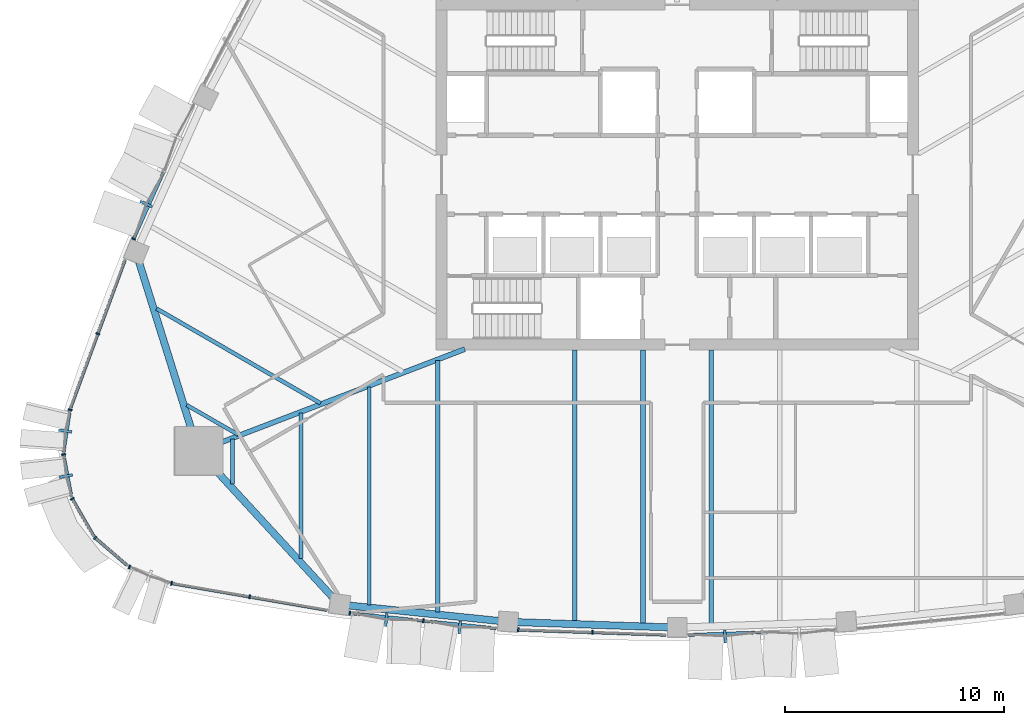
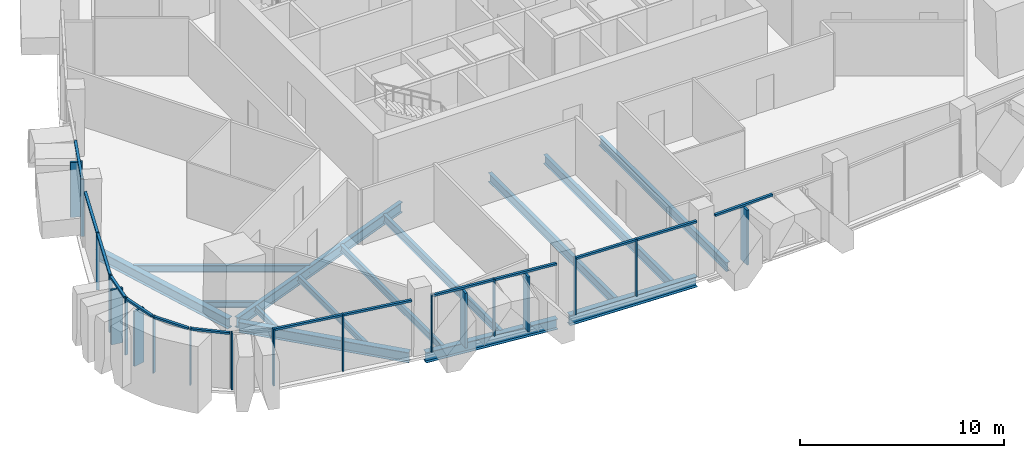
# One storey, part 2 of 18: 33 members, 14 beams, 11 elements without a shape of their own.
"""IFC4 building model written with IfcOpenShell, lengths in metres."""

import ifcopenshell
import ifcopenshell.guid

model = None  # the IFC model being written
_history = None  # IfcOwnerHistory: only IFC2X3 demands one
_inside = {}  # id of a spatial element -> (the spatial element, [elements in it])
_under = {}  # id of a project, library or spatial element -> (it, [spatial elements below it])
_declared = {}  # id of a project -> (the project, [libraries it declares])
_typed = {}  # id of a type object -> (the type object, [elements of that type])
_made_of = {}  # id of a material, layer set ... -> (it, [elements and type objects made of it])


def new_model(schema):
    """Start an empty IFC model of exactly this schema.

    Asked for "IFC4X3", IfcOpenShell would pick the latest addendum, in which some entities
    have other attributes; the version numbers below select the first issue.
    IFC2X3 requires an IfcOwnerHistory on every rooted entity: one is made here for all.
    """
    global model, _history
    if schema == "IFC4X3":
        model = ifcopenshell.file(schema_version=(4, 3, 0, 0))
    else:
        model = ifcopenshell.file(schema=schema)
    _inside.clear()
    _under.clear()
    _declared.clear()
    _typed.clear()
    _made_of.clear()
    _history = None
    if model.schema == "IFC2X3":
        org = make("IfcOrganization", Name="unknown")
        user = make(
            "IfcPersonAndOrganization",
            ThePerson=make("IfcPerson", FamilyName="unknown"),
            TheOrganization=org,
        )
        app = make(
            "IfcApplication",
            ApplicationDeveloper=org,
            Version="unknown",
            ApplicationFullName="unknown",
            ApplicationIdentifier="unknown",
        )
        _history = make(
            "IfcOwnerHistory",
            OwningUser=user,
            OwningApplication=app,
            ChangeAction="ADDED",
            CreationDate=0,
        )
    return model


def make(cls, **values):
    """One entity of the class cls with the attributes given. An attribute that is None is left unset."""
    return model.create_entity(
        cls, **{name: value for name, value in values.items() if value is not None}
    )


def rooted(cls, **values):
    """An entity with a GlobalId (a new one), such as an element, a storey or a relation."""
    return make(cls, GlobalId=ifcopenshell.guid.new(), OwnerHistory=_history, **values)


def si_unit(unit_type, name, prefix=None):
    """IfcSIUnit, for example si_unit("LENGTHUNIT", "METRE", prefix="MILLI")."""
    return make("IfcSIUnit", UnitType=unit_type, Prefix=prefix, Name=name)


def assignment(units):
    """IfcUnitAssignment: the units of a project."""
    return None if units is None else make("IfcUnitAssignment", Units=units)


def point(xyz):
    """IfcCartesianPoint."""
    return None if xyz is None else make("IfcCartesianPoint", Coordinates=xyz)


def direction(xyz):
    """IfcDirection."""
    return None if xyz is None else make("IfcDirection", DirectionRatios=xyz)


def frame(location, z_axis=None, x_axis=None):
    """IfcAxis2Placement3D, a coordinate frame: its origin and axes. An axis left out is left unset."""
    return make(
        "IfcAxis2Placement3D",
        Location=point(location),
        Axis=direction(z_axis),
        RefDirection=direction(x_axis),
    )


def frame_2d(location, x_axis=None):
    """IfcAxis2Placement2D, a coordinate frame in the plane: its origin and x axis."""
    return make(
        "IfcAxis2Placement2D", Location=point(location), RefDirection=direction(x_axis)
    )


def origin():
    """The frame at (0, 0, 0) with its axes left unset."""
    return frame((0.0, 0.0, 0.0))


def origin_2d():
    """The frame at (0, 0) in the plane with its x axis left unset."""
    return frame_2d((0.0, 0.0))


def place(relative_to, where):
    """IfcLocalPlacement: puts the frame where relative to a parent placement (None: the world)."""
    return make(
        "IfcLocalPlacement", PlacementRelTo=relative_to, RelativePlacement=where
    )


def context(
    kind, dimensions, precision=None, world=None, true_north=None, identifier=None
):
    """IfcGeometricRepresentationContext, for example the 3D "Model" context."""
    return make(
        "IfcGeometricRepresentationContext",
        ContextIdentifier=identifier,
        ContextType=kind,
        CoordinateSpaceDimension=dimensions,
        Precision=precision,
        WorldCoordinateSystem=world,
        TrueNorth=true_north,
    )


def subcontext(parent, identifier, kind, view, scale=None):
    """IfcGeometricRepresentationSubContext, for example "Body" below "Model"."""
    return make(
        "IfcGeometricRepresentationSubContext",
        ContextIdentifier=identifier,
        ContextType=kind,
        ParentContext=parent,
        TargetScale=scale,
        TargetView=view,
    )


def project(units=None, contexts=None):
    """IfcProject with its units and contexts."""
    return rooted(
        "IfcProject",
        Name="project",
        RepresentationContexts=contexts,
        UnitsInContext=assignment(units),
    )


def spatial(cls, under=None, at=None, **own):
    """A site, building, storey or space (cls), placed at a placement, below another one or the project."""
    s = rooted(cls, ObjectPlacement=at, **own)
    if under is not None:
        _under.setdefault(under.id(), (under, []))[1].append(s)
    return s


def profile(cls, at=None, kind="AREA", **sizes):
    """A parametric profile (cls). Its sizes go by their IFC names, for example OverallWidth=200.0."""
    return make(cls, ProfileType=kind, Position=at, **sizes)


def rectangle(**sizes):
    """IfcRectangleProfileDef."""
    return profile("IfcRectangleProfileDef", **sizes)


def i_section(**sizes):
    """IfcIShapeProfileDef."""
    return profile("IfcIShapeProfileDef", **sizes)


def extrude(swept, where, along, depth):
    """IfcExtrudedAreaSolid: the profile swept, set in the frame where, extruded along a direction by depth."""
    return make(
        "IfcExtrudedAreaSolid",
        SweptArea=swept,
        Position=where,
        ExtrudedDirection=direction(along),
        Depth=depth,
    )


def shape(context_of_items, identifier, shape_type, items):
    """IfcShapeRepresentation: the items that make up one representation, for example the "Body"."""
    return make(
        "IfcShapeRepresentation",
        ContextOfItems=context_of_items,
        RepresentationIdentifier=identifier,
        RepresentationType=shape_type,
        Items=items,
    )


def material(Name=None, Category=None):
    """IfcMaterial."""
    return make("IfcMaterial", Name=Name, Category=Category)


def layer(
    of_material, thickness, ventilated=None, Name=None, Category=None, Priority=None
):
    """IfcMaterialLayer: one layer of a wall or slab, of a material (None: an air gap)."""
    return make(
        "IfcMaterialLayer",
        Material=of_material,
        LayerThickness=thickness,
        IsVentilated=ventilated,
        Name=Name,
        Category=Category,
        Priority=Priority,
    )


def layer_set(layers, Name=None):
    """IfcMaterialLayerSet."""
    return make("IfcMaterialLayerSet", MaterialLayers=layers, LayerSetName=Name)


def material_profile(
    of_material, cross_section, Name=None, Category=None, Priority=None
):
    """IfcMaterialProfile: a cross section and its material."""
    return make(
        "IfcMaterialProfile",
        Name=Name,
        Material=of_material,
        Profile=cross_section,
        Priority=Priority,
        Category=Category,
    )


def profile_set(profiles, Name=None, composite=None):
    """IfcMaterialProfileSet."""
    return make(
        "IfcMaterialProfileSet",
        Name=Name,
        MaterialProfiles=profiles,
        CompositeProfile=composite,
    )


def made_of(thing, what):
    """Note that an element or type object is made of a material, layer set ...; save() writes the relation."""
    if what is not None:
        _made_of.setdefault(what.id(), (what, []))[1].append(thing)
    return thing


def type_object(cls, material=None, **own):
    """A type object (cls), such as IfcWallType, which elements share."""
    return made_of(rooted(cls, **own), material)


def element(
    cls,
    number,
    at=None,
    inside=None,
    cuts=None,
    type_object=None,
    material=None,
    context=None,
    identifier="Body",
    shape_type=None,
    held_by="IfcProductDefinitionShape",
    body=None,
    shapes=None,
    **own,
):
    """One element of the class cls, such as IfcWall. Its Tag is "e" and its number.

    at: its placement. inside: the storey or other place that contains it. cuts: it is an
    opening in that element (IfcRelVoidsElement). A single representation is given by context,
    identifier, shape_type and body (its items); several are given by shapes. held_by: the class
    of the entity that holds the representations. save() writes the other relations.
    """
    e = rooted(cls, Tag="e%d" % number, ObjectPlacement=at, **own)
    if body is not None:
        shapes = [shape(context, identifier, shape_type, body)]
    if shapes is not None:
        e.Representation = make(held_by, Representations=shapes)
    if inside is not None:
        _inside.setdefault(inside.id(), (inside, []))[1].append(e)
    if cuts is not None:
        rooted(
            "IfcRelVoidsElement", RelatingBuildingElement=cuts, RelatedOpeningElement=e
        )
    if type_object is not None:
        _typed.setdefault(type_object.id(), (type_object, []))[1].append(e)
    return made_of(e, material)


def aggregate(whole, parts):
    """IfcRelAggregates: a whole, such as a stair, and the parts it consists of."""
    return rooted("IfcRelAggregates", RelatingObject=whole, RelatedObjects=parts)


def save(model, path):
    """Write the relations noted so far, then the file.

    IfcRelAggregates (storeys below a building ...), IfcRelContainedInSpatialStructure (elements
    in a storey), IfcRelDefinesByType, IfcRelAssociatesMaterial and IfcRelDeclares: one each for
    every whole, place, type object, material and project.
    """
    for whole, parts in _under.values():
        aggregate(whole, parts)
    for where, things in _inside.values():
        rooted(
            "IfcRelContainedInSpatialStructure",
            RelatedElements=things,
            RelatingStructure=where,
        )
    for kind, things in _typed.values():
        rooted("IfcRelDefinesByType", RelatedObjects=things, RelatingType=kind)
    for what, things in _made_of.values():
        rooted("IfcRelAssociatesMaterial", RelatedObjects=things, RelatingMaterial=what)
    for by, libraries in _declared.values():
        rooted("IfcRelDeclares", RelatingContext=by, RelatedDefinitions=libraries)
    model.write(path)


model = new_model("IFC4")

# Units and contexts
model_context = context("Model", 3, precision=1e-05, world=origin(), true_north=direction((0.0, 1.0)))
body_context = subcontext(model_context, "Body", "Model", "MODEL_VIEW")
ifc_project = project(units=[si_unit("LENGTHUNIT", "METRE"), si_unit("AREAUNIT", "SQUARE_METRE"), si_unit("VOLUMEUNIT", "CUBIC_METRE"), si_unit("PLANEANGLEUNIT", "RADIAN"), si_unit("MASSUNIT", "GRAM", prefix="KILO")], contexts=[model_context])

# Site, building, storey
site_placement = place(None, origin())
site = spatial("IfcSite", under=ifc_project, at=site_placement, CompositionType="ELEMENT")
building_placement = place(site_placement, origin())
building = spatial("IfcBuilding", under=site, at=building_placement, Name="Sierra Prisma Convention Tower", CompositionType="ELEMENT")
storey_placement = place(building_placement, frame((0.0, 0.0, 247.0)))
storey = spatial("IfcBuildingStorey", under=building, at=storey_placement, Name="L55", CompositionType="ELEMENT", Elevation=247.0)

# Curtain wall, members
ifc_material_1 = material(Name="Aluminium and glass curtain wall", Category="aluminium")
ifc_layer_1 = layer(ifc_material_1, 0.179931640625)
ifc_layer_set_1 = layer_set([ifc_layer_1], Name="CW-2 Faceted crystal curtain wall")
curtain_wall_type_1 = type_object("IfcCurtainWallType", Name="CW-2 Faceted crystal curtain wall", PredefinedType="NOTDEFINED", material=ifc_layer_set_1)
curtain_wall_1_placement = place(storey_placement, origin())
curtain_wall_1 = element("IfcCurtainWall", 1, at=curtain_wall_1_placement, inside=storey, type_object=curtain_wall_type_1, Name="CW-2 S2 L55", PredefinedType="NOTDEFINED")
ifc_material_2 = material(Name="Aluminium 6063-T6 bronze anodised", Category="aluminium")
ifc_material_profile_1 = material_profile(ifc_material_2, rectangle(XDim=0.1201171875, YDim=0.60009765625, at=origin_2d()), Name="ALU RIDGE BLADE 120x600")
ifc_profile_set_1 = profile_set([ifc_material_profile_1], Name="Aluminium 6063-T6 bronze anodised")
member_type_1 = type_object("IfcMemberType", Name="CW hip bronze", PredefinedType="MULLION", material=ifc_profile_set_1)
member_1_placement = place(storey_placement, frame((-13.270263671875, -20.3076171875, 0.0), z_axis=(0.0, 0.0, 1.0), x_axis=(0.994751350492, -0.102321799698, 0.0)))
member_1 = element("IfcMember", 2, at=member_1_placement, type_object=member_type_1, Name="CW-2 ridge S2.1", PredefinedType="MULLION", context=body_context, shape_type="SweptSolid", body=[
    extrude(rectangle(XDim=0.1201171875, YDim=0.60009765625, at=origin_2d()), origin(), (0.0, 0.0, 1.0), 3.280029296875),
])
member_2_placement = place(storey_placement, frame((-9.9189453125, -20.65234375, 0.0), z_axis=(0.0, 0.0, 1.0), x_axis=(0.994751350492, -0.102321799698, 0.0)))
member_2 = element("IfcMember", 3, at=member_2_placement, type_object=member_type_1, Name="CW-2 ridge S2.2", PredefinedType="MULLION", context=body_context, shape_type="SweptSolid", body=[
    extrude(rectangle(XDim=0.1201171875, YDim=0.60009765625, at=origin_2d()), origin(), (0.0, 0.0, 1.0), 3.280029296875),
])

# Curtain wall, member
curtain_wall_2_placement = place(storey_placement, origin())
curtain_wall_2 = element("IfcCurtainWall", 4, at=curtain_wall_2_placement, inside=storey, type_object=curtain_wall_type_1, Name="CW-2 S4 L55", PredefinedType="NOTDEFINED")
member_3_placement = place(storey_placement, frame((2.1806640625, -21.06591796875, 0.0), z_axis=(0.0, 0.0, 1.0), x_axis=(0.999416362633, 0.034160417179, 0.0)))
member_3 = element("IfcMember", 5, at=member_3_placement, type_object=member_type_1, Name="CW-2 ridge S4.1", PredefinedType="MULLION", context=body_context, shape_type="SweptSolid", body=[
    extrude(rectangle(XDim=0.1201171875, YDim=0.60009765625, at=origin_2d()), origin(), (0.0, 0.0, 1.0), 3.280029296875),
])

curtain_wall_3_placement = place(storey_placement, origin())
curtain_wall_3 = element("IfcCurtainWall", 6, at=curtain_wall_3_placement, inside=storey, type_object=curtain_wall_type_1, Name="CW-2 NW5 L55", PredefinedType="NOTDEFINED")
member_4_placement = place(storey_placement, frame((-24.221923828125, -1.338623046875, 0.0), z_axis=(0.0, 0.0, 1.0), x_axis=(-0.408762397347, -0.912640839824, 0.0)))
member_4 = element("IfcMember", 7, at=member_4_placement, type_object=member_type_1, Name="CW-2 ridge NW5.2", PredefinedType="MULLION", context=body_context, shape_type="SweptSolid", body=[
    extrude(rectangle(XDim=0.1201171875, YDim=0.60009765625, at=origin_2d()), origin(), (0.0, 0.0, 1.0), 3.280029296875),
])

curtain_wall_4_placement = place(storey_placement, origin())
curtain_wall_4 = element("IfcCurtainWall", 8, at=curtain_wall_4_placement, inside=storey, type_object=curtain_wall_type_1, Name="CW-2 SW1 L55", PredefinedType="NOTDEFINED")
member_5_placement = place(storey_placement, frame((-27.915771484375, -11.694580078125, 0.0), z_axis=(0.0, 0.0, 1.0), x_axis=(-0.149593719484, -0.988747550738, 0.0)))
member_5 = element("IfcMember", 9, at=member_5_placement, type_object=member_type_1, Name="CW-2 ridge SW1.1", PredefinedType="MULLION", context=body_context, shape_type="SweptSolid", body=[
    extrude(rectangle(XDim=0.1201171875, YDim=0.60009765625, at=origin_2d()), origin(), (0.0, 0.0, 1.0), 3.280029296875),
])

curtain_wall_5_placement = place(storey_placement, origin())
curtain_wall_5 = element("IfcCurtainWall", 10, at=curtain_wall_5_placement, inside=storey, type_object=curtain_wall_type_1, Name="CW-2 SW2 L55", PredefinedType="NOTDEFINED")
member_6_placement = place(storey_placement, frame((-27.8779296875, -13.75244140625, 0.0), z_axis=(0.0, 0.0, 1.0), x_axis=(0.185637608513, -0.982618277006, 0.0)))
member_6 = element("IfcMember", 11, at=member_6_placement, type_object=member_type_1, Name="CW-2 ridge SW2.1", PredefinedType="MULLION", context=body_context, shape_type="SweptSolid", body=[
    extrude(rectangle(XDim=0.1201171875, YDim=0.60009765625, at=origin_2d()), origin(), (0.0, 0.0, 1.0), 3.280029296875),
])

# Curtain wall, members
ifc_material_3 = material(Name="Aluminium and glass curtain wall", Category="aluminium")
ifc_layer_2 = layer(ifc_material_3, 0.179931640625)
ifc_layer_set_2 = layer_set([ifc_layer_2], Name="CW-1 Plain shaft curtain wall")
curtain_wall_type_2 = type_object("IfcCurtainWallType", Name="CW-1 Plain shaft curtain wall", PredefinedType="NOTDEFINED", material=ifc_layer_set_2)
curtain_wall_6_placement = place(storey_placement, origin())
curtain_wall_6 = element("IfcCurtainWall", 12, at=curtain_wall_6_placement, inside=storey, type_object=curtain_wall_type_2, Name="CW-1 S1 L55", PredefinedType="NOTDEFINED")
ifc_material_4 = material(Name="Aluminium 6063-T6 bronze anodised", Category="aluminium")
ifc_material_profile_2 = material_profile(ifc_material_4, rectangle(XDim=0.179931640625, YDim=0.070068359375, at=origin_2d()), Name="ALU MULLION 70x180")
ifc_profile_set_2 = profile_set([ifc_material_profile_2], Name="Aluminium 6063-T6 bronze anodised")
member_type_2 = type_object("IfcMemberType", Name="CW mullion bronze", PredefinedType="MULLION", material=ifc_profile_set_2)
member_7_placement = place(storey_placement, frame((-23.0634765625, -18.64013671875, 0.0), z_axis=(0.0, 0.0, 1.0), x_axis=(0.170005571044, 0.985443101257, 0.0)))
member_7 = element("IfcMember", 13, at=member_7_placement, type_object=member_type_2, Name="CW-1 mullion S1.1", PredefinedType="MULLION", context=body_context, shape_type="SweptSolid", body=[
    extrude(rectangle(XDim=0.179931640625, YDim=0.070068359375, at=origin_2d()), origin(), (0.0, 0.0, 1.0), 3.39990234375),
])
member_8_placement = place(storey_placement, frame((-19.500244140625, -19.2548828125, 0.0), z_axis=(0.0, 0.0, 1.0), x_axis=(0.170005571044, 0.985443101257, 0.0)))
member_8 = element("IfcMember", 14, at=member_8_placement, type_object=member_type_2, Name="CW-1 mullion S1.2", PredefinedType="MULLION", context=body_context, shape_type="SweptSolid", body=[
    extrude(rectangle(XDim=0.179931640625, YDim=0.070068359375, at=origin_2d()), origin(), (0.0, 0.0, 1.0), 3.39990234375),
])

# Member
member_9_placement = place(storey_placement, frame((-14.9326171875, -20.006103515625, 0.0), z_axis=(0.0, 0.0, 1.0), x_axis=(0.102321799698, 0.994751350492, 0.0)))
member_9 = element("IfcMember", 15, at=member_9_placement, type_object=member_type_2, Name="CW-1 mullion S2.1", PredefinedType="MULLION", context=body_context, shape_type="SweptSolid", body=[
    extrude(rectangle(XDim=0.179931640625, YDim=0.070068359375, at=origin_2d()), origin(), (0.0, 0.0, 1.0), 3.39990234375),
])

member_10_placement = place(storey_placement, frame((-11.581298828125, -20.350830078125, 0.0), z_axis=(0.0, 0.0, 1.0), x_axis=(0.102321799698, 0.994751350492, 0.0)))
member_10 = element("IfcMember", 16, at=member_10_placement, type_object=member_type_2, Name="CW-1 mullion S2.2", PredefinedType="MULLION", context=body_context, shape_type="SweptSolid", body=[
    extrude(rectangle(XDim=0.179931640625, YDim=0.070068359375, at=origin_2d()), origin(), (0.0, 0.0, 1.0), 3.39990234375),
])

# Curtain wall, members
curtain_wall_7_placement = place(storey_placement, origin())
curtain_wall_7 = element("IfcCurtainWall", 17, at=curtain_wall_7_placement, inside=storey, type_object=curtain_wall_type_2, Name="CW-1 S3 L55", PredefinedType="NOTDEFINED")
member_11_placement = place(storey_placement, frame((-7.25048828125, -20.76220703125, 0.0), z_axis=(0.0, 0.0, 1.0), x_axis=(0.034160417179, 0.999416362633, 0.0)))
member_11 = element("IfcMember", 18, at=member_11_placement, type_object=member_type_2, Name="CW-1 mullion S3.1", PredefinedType="MULLION", context=body_context, shape_type="SweptSolid", body=[
    extrude(rectangle(XDim=0.179931640625, YDim=0.070068359375, at=origin_2d()), origin(), (0.0, 0.0, 1.0), 3.39990234375),
])
member_12_placement = place(storey_placement, frame((-3.86767578125, -20.877685546875, 0.0), z_axis=(0.0, 0.0, 1.0), x_axis=(0.034160417179, 0.999416362633, 0.0)))
member_12 = element("IfcMember", 19, at=member_12_placement, type_object=member_type_2, Name="CW-1 mullion S3.2", PredefinedType="MULLION", context=body_context, shape_type="SweptSolid", body=[
    extrude(rectangle(XDim=0.179931640625, YDim=0.070068359375, at=origin_2d()), origin(), (0.0, 0.0, 1.0), 3.39990234375),
])

# Member
member_13_placement = place(storey_placement, frame((-24.7919921875, -2.928955078125, 0.0), z_axis=(0.0, 0.0, 1.0), x_axis=(0.912640839824, -0.408762397347, 0.0)))
member_13 = element("IfcMember", 20, at=member_13_placement, type_object=member_type_2, Name="CW-1 mullion NW5.3", PredefinedType="MULLION", context=body_context, shape_type="SweptSolid", body=[
    extrude(rectangle(XDim=0.179931640625, YDim=0.070068359375, at=origin_2d()), origin(), (0.0, 0.0, 1.0), 3.39990234375),
])

# Curtain wall, member
curtain_wall_8_placement = place(storey_placement, origin())
curtain_wall_8 = element("IfcCurtainWall", 21, at=curtain_wall_8_placement, inside=storey, type_object=curtain_wall_type_2, Name="CW-1 NW6 L55", PredefinedType="NOTDEFINED")
member_14_placement = place(storey_placement, frame((-26.42529296875, -7.26025390625, 0.0), z_axis=(0.0, 0.0, 1.0), x_axis=(0.938421545194, -0.34549240732, 0.0)))
member_14 = element("IfcMember", 22, at=member_14_placement, type_object=member_type_2, Name="CW-1 mullion NW6.2", PredefinedType="MULLION", context=body_context, shape_type="SweptSolid", body=[
    extrude(rectangle(XDim=0.179931640625, YDim=0.070068359375, at=origin_2d()), origin(), (0.0, 0.0, 1.0), 3.39990234375),
])

# Member
member_15_placement = place(storey_placement, frame((-27.69189453125, -10.72119140625, 0.0), z_axis=(0.0, 0.0, 1.0), x_axis=(0.988747550738, -0.149593719484, 0.0)))
member_15 = element("IfcMember", 23, at=member_15_placement, type_object=member_type_2, Name="CW-1 mullion SW1.1", PredefinedType="MULLION", context=body_context, shape_type="SweptSolid", body=[
    extrude(rectangle(XDim=0.179931640625, YDim=0.070068359375, at=origin_2d()), origin(), (0.0, 0.0, 1.0), 3.39990234375),
])

member_16_placement = place(storey_placement, frame((-27.988525390625, -12.759765625, 0.0), z_axis=(0.0, 0.0, 1.0), x_axis=(0.982618277006, 0.185637608513, 0.0)))
member_16 = element("IfcMember", 24, at=member_16_placement, type_object=member_type_2, Name="CW-1 mullion SW2.1", PredefinedType="MULLION", context=body_context, shape_type="SweptSolid", body=[
    extrude(rectangle(XDim=0.179931640625, YDim=0.070068359375, at=origin_2d()), origin(), (0.0, 0.0, 1.0), 3.39990234375),
])

# Curtain wall, member
curtain_wall_9_placement = place(storey_placement, origin())
curtain_wall_9 = element("IfcCurtainWall", 25, at=curtain_wall_9_placement, inside=storey, type_object=curtain_wall_type_2, Name="CW-1 SW3 L55", PredefinedType="NOTDEFINED")
member_17_placement = place(storey_placement, frame((-27.5947265625, -14.78173828125, 0.0), z_axis=(0.0, 0.0, 1.0), x_axis=(0.866025403784, 0.5, 0.0)))
member_17 = element("IfcMember", 26, at=member_17_placement, type_object=member_type_2, Name="CW-1 mullion SW3.1", PredefinedType="MULLION", context=body_context, shape_type="SweptSolid", body=[
    extrude(rectangle(XDim=0.179931640625, YDim=0.070068359375, at=origin_2d()), origin(), (0.0, 0.0, 1.0), 3.39990234375),
])

curtain_wall_10_placement = place(storey_placement, origin())
curtain_wall_10 = element("IfcCurtainWall", 27, at=curtain_wall_10_placement, inside=storey, type_object=curtain_wall_type_2, Name="CW-1 SW4 L55", PredefinedType="NOTDEFINED")
member_18_placement = place(storey_placement, frame((-26.5546875, -16.56005859375, 0.0), z_axis=(0.0, 0.0, 1.0), x_axis=(0.652076023373, 0.758153585853, 0.0)))
member_18 = element("IfcMember", 28, at=member_18_placement, type_object=member_type_2, Name="CW-1 mullion SW4.1", PredefinedType="MULLION", context=body_context, shape_type="SweptSolid", body=[
    extrude(rectangle(XDim=0.179931640625, YDim=0.070068359375, at=origin_2d()), origin(), (0.0, 0.0, 1.0), 3.39990234375),
])

curtain_wall_11_placement = place(storey_placement, origin())
curtain_wall_11 = element("IfcCurtainWall", 29, at=curtain_wall_11_placement, inside=storey, type_object=curtain_wall_type_1, Name="CW-2 SW5 L55", PredefinedType="NOTDEFINED")
member_19_placement = place(storey_placement, frame((-24.9853515625, -17.89453125, 0.0), z_axis=(0.0, 0.0, 1.0), x_axis=(0.36482181405, 0.931077356611, 0.0)))
member_19 = element("IfcMember", 30, at=member_19_placement, type_object=member_type_2, Name="CW-1 mullion SW5.1", PredefinedType="MULLION", context=body_context, shape_type="SweptSolid", body=[
    extrude(rectangle(XDim=0.179931640625, YDim=0.070068359375, at=origin_2d()), origin(), (0.0, 0.0, 1.0), 3.39990234375),
])
aggregate(curtain_wall_11, [member_19])

# Member
ifc_material_5 = material(Name="Aluminium 6063-T6 bronze anodised", Category="aluminium")
ifc_material_profile_3 = material_profile(ifc_material_5, rectangle(XDim=0.139892578125, YDim=0.1201171875, at=origin_2d()), Name="ALU TRANSOM 120x140")
ifc_profile_set_3 = profile_set([ifc_material_profile_3], Name="Aluminium 6063-T6 bronze anodised")
member_type_3 = type_object("IfcMemberType", Name="CW transom bronze", PredefinedType="USERDEFINED", material=ifc_profile_set_3)
member_20_placement = place(storey_placement, frame((-23.029052734375, -18.64599609375, 3.340087890625), z_axis=(0.985445801687, -0.169989917164, 0.0), x_axis=(0.169989917164, 0.985445801687, 0.0)))
member_20 = element("IfcMember", 31, at=member_20_placement, type_object=member_type_3, Name="CW-1 transom S1.1", ObjectType="TRANSOM", PredefinedType="USERDEFINED", context=body_context, shape_type="SweptSolid", body=[
    extrude(rectangle(XDim=0.139892578125, YDim=0.1201171875, at=origin_2d()), origin(), (0.0, 0.0, 1.0), 3.5458984375),
])

member_21_placement = place(storey_placement, frame((-19.4658203125, -19.2607421875, 3.340087890625), z_axis=(0.985447791005, -0.169978384518, 0.0), x_axis=(0.169978384518, 0.985447791005, 0.0)))
member_21 = element("IfcMember", 32, at=member_21_placement, type_object=member_type_3, Name="CW-1 transom S1.2", ObjectType="TRANSOM", PredefinedType="USERDEFINED", context=body_context, shape_type="SweptSolid", body=[
    extrude(rectangle(XDim=0.139892578125, YDim=0.1201171875, at=origin_2d()), origin(), (0.0, 0.0, 1.0), 3.546142578125),
])

aggregate(curtain_wall_6, [member_7, member_8, member_20, member_21])

member_22_placement = place(storey_placement, frame((-14.897705078125, -20.009765625, 3.340087890625), z_axis=(0.994755597513, -0.102280502624, 0.0), x_axis=(0.102280502624, 0.994755597513, 0.0)))
member_22 = element("IfcMember", 33, at=member_22_placement, type_object=member_type_3, Name="CW-1 transom S2.1", ObjectType="TRANSOM", PredefinedType="USERDEFINED", context=body_context, shape_type="SweptSolid", body=[
    extrude(rectangle(XDim=0.139892578125, YDim=0.1201171875, at=origin_2d()), origin(), (0.0, 0.0, 1.0), 3.298828125),
])

member_23_placement = place(storey_placement, frame((-11.54638671875, -20.3544921875, 3.340087890625), z_axis=(0.994755597513, -0.102280502624, 0.0), x_axis=(0.102280502624, 0.994755597513, 0.0)))
member_23 = element("IfcMember", 34, at=member_23_placement, type_object=member_type_3, Name="CW-1 transom S2.2", ObjectType="TRANSOM", PredefinedType="USERDEFINED", context=body_context, shape_type="SweptSolid", body=[
    extrude(rectangle(XDim=0.139892578125, YDim=0.1201171875, at=origin_2d()), origin(), (0.0, 0.0, 1.0), 3.298828125),
])

aggregate(curtain_wall_1, [member_9, member_10, member_22, member_1, member_23, member_2])

member_24_placement = place(storey_placement, frame((-7.215576171875, -20.763427734375, 3.340087890625), z_axis=(0.999415928988, -0.034173101772, 0.0), x_axis=(0.034173101772, 0.999415928988, 0.0)))
member_24 = element("IfcMember", 35, at=member_24_placement, type_object=member_type_3, Name="CW-1 transom S3.1", ObjectType="TRANSOM", PredefinedType="USERDEFINED", context=body_context, shape_type="SweptSolid", body=[
    extrude(rectangle(XDim=0.139892578125, YDim=0.1201171875, at=origin_2d()), origin(), (0.0, 0.0, 1.0), 3.31494140625),
])

member_25_placement = place(storey_placement, frame((-3.832763671875, -20.87890625, 3.340087890625), z_axis=(0.999415928988, -0.034173101772, 0.0), x_axis=(0.034173101772, 0.999415928988, 0.0)))
member_25 = element("IfcMember", 36, at=member_25_placement, type_object=member_type_3, Name="CW-1 transom S3.2", ObjectType="TRANSOM", PredefinedType="USERDEFINED", context=body_context, shape_type="SweptSolid", body=[
    extrude(rectangle(XDim=0.139892578125, YDim=0.1201171875, at=origin_2d()), origin(), (0.0, 0.0, 1.0), 3.31494140625),
])

aggregate(curtain_wall_7, [member_11, member_12, member_24, member_25])

member_26_placement = place(storey_placement, frame((0.519775390625, -20.9921875, 3.340087890625), z_axis=(0.999415928988, 0.034173101772, 0.0), x_axis=(-0.034173101772, 0.999415928988, 0.0)))
member_26 = element("IfcMember", 37, at=member_26_placement, type_object=member_type_3, Name="CW-1 transom S4.1", ObjectType="TRANSOM", PredefinedType="USERDEFINED", context=body_context, shape_type="SweptSolid", body=[
    extrude(rectangle(XDim=0.139892578125, YDim=0.1201171875, at=origin_2d()), origin(), (0.0, 0.0, 1.0), 3.31494140625),
])

aggregate(curtain_wall_2, [member_26, member_3])

member_27_placement = place(storey_placement, frame((-23.42919921875, 0.11376953125, 3.340087890625), z_axis=(-0.408800902293, -0.912623592882, 0.0), x_axis=(0.912623592882, -0.408800902293, 0.0)))
member_27 = element("IfcMember", 38, at=member_27_placement, type_object=member_type_3, Name="CW-1 transom NW5.2", ObjectType="TRANSOM", PredefinedType="USERDEFINED", context=body_context, shape_type="SweptSolid", body=[
    extrude(rectangle(XDim=0.139892578125, YDim=0.1201171875, at=origin_2d()), origin(), (0.0, 0.0, 1.0), 3.299072265625),
])

aggregate(curtain_wall_3, [member_13, member_27, member_4])

member_28_placement = place(storey_placement, frame((-25.18798828125, -3.899658203125, 3.340087890625), z_axis=(-0.345466067947, -0.938431241966, 0.0), x_axis=(0.938431241966, -0.345466067947, 0.0)))
member_28 = element("IfcMember", 39, at=member_28_placement, type_object=member_type_3, Name="CW-1 transom NW6.1", ObjectType="TRANSOM", PredefinedType="USERDEFINED", context=body_context, shape_type="SweptSolid", body=[
    extrude(rectangle(XDim=0.139892578125, YDim=0.1201171875, at=origin_2d()), origin(), (0.0, 0.0, 1.0), 3.546142578125),
])

member_29_placement = place(storey_placement, frame((-26.437255859375, -7.293212890625, 3.340087890625), z_axis=(-0.345488388695, -0.938423024694, 0.0), x_axis=(0.938423024694, -0.345488388695, 0.0)))
member_29 = element("IfcMember", 40, at=member_29_placement, type_object=member_type_3, Name="CW-1 transom NW6.2", ObjectType="TRANSOM", PredefinedType="USERDEFINED", context=body_context, shape_type="SweptSolid", body=[
    extrude(rectangle(XDim=0.139892578125, YDim=0.1201171875, at=origin_2d()), origin(), (0.0, 0.0, 1.0), 3.5458984375),
])

aggregate(curtain_wall_8, [member_14, member_28, member_29])

member_30_placement = place(storey_placement, frame((-27.697021484375, -10.755615234375, 3.340087890625), z_axis=(-0.149632289272, -0.988741714508, 0.0), x_axis=(0.988741714508, -0.149632289272, 0.0)))
member_30 = element("IfcMember", 41, at=member_30_placement, type_object=member_type_3, Name="CW-1 transom SW1.1", ObjectType="TRANSOM", PredefinedType="USERDEFINED", context=body_context, shape_type="SweptSolid", body=[
    extrude(rectangle(XDim=0.139892578125, YDim=0.1201171875, at=origin_2d()), origin(), (0.0, 0.0, 1.0), 1.922119140625),
])

aggregate(curtain_wall_4, [member_15, member_30, member_5])

member_31_placement = place(storey_placement, frame((-27.982177734375, -12.794189453125, 3.340087890625), z_axis=(0.185722616165, -0.982602213434, 0.0), x_axis=(0.982602213434, 0.185722616165, 0.0)))
member_31 = element("IfcMember", 42, at=member_31_placement, type_object=member_type_3, Name="CW-1 transom SW2.1", ObjectType="TRANSOM", PredefinedType="USERDEFINED", context=body_context, shape_type="SweptSolid", body=[
    extrude(rectangle(XDim=0.139892578125, YDim=0.1201171875, at=origin_2d()), origin(), (0.0, 0.0, 1.0), 1.921875),
])

aggregate(curtain_wall_5, [member_16, member_31, member_6])

member_32_placement = place(storey_placement, frame((-27.577392578125, -14.81201171875, 3.340087890625), z_axis=(0.500059619652, -0.865990979626, 0.0), x_axis=(0.865990979626, 0.500059619652, 0.0)))
member_32 = element("IfcMember", 43, at=member_32_placement, type_object=member_type_3, Name="CW-1 transom SW3.1", ObjectType="TRANSOM", PredefinedType="USERDEFINED", context=body_context, shape_type="SweptSolid", body=[
    extrude(rectangle(XDim=0.139892578125, YDim=0.1201171875, at=origin_2d()), origin(), (0.0, 0.0, 1.0), 1.922119140625),
])

aggregate(curtain_wall_9, [member_17, member_32])

member_33_placement = place(storey_placement, frame((-26.5283203125, -16.582763671875, 3.340087890625), z_axis=(0.758143752564, -0.652087456134, 0.0), x_axis=(0.652087456134, 0.758143752564, 0.0)))
member_33 = element("IfcMember", 44, at=member_33_placement, type_object=member_type_3, Name="CW-1 transom SW4.1", ObjectType="TRANSOM", PredefinedType="USERDEFINED", context=body_context, shape_type="SweptSolid", body=[
    extrude(rectangle(XDim=0.139892578125, YDim=0.1201171875, at=origin_2d()), origin(), (0.0, 0.0, 1.0), 1.922119140625),
])

aggregate(curtain_wall_10, [member_18, member_33])

# Beams
ifc_material_6 = material(Name="Steel ASTM A992 Gr 50", Category="steel")
ifc_material_profile_4 = material_profile(ifc_material_6, i_section(OverallWidth=0.172119140625, OverallDepth=0.35791015625, WebThickness=0.0078125, FlangeThickness=0.01318359375, at=origin_2d()), Name="W360x57")
ifc_profile_set_4 = profile_set([ifc_material_profile_4], Name="Steel ASTM A992 Gr 50")
beam_type_1 = type_object("IfcBeamType", Name="Floor joist W360x57", PredefinedType="JOIST", material=ifc_profile_set_4)
beam_1_placement = place(storey_placement, frame((-20.28564453125, -14.118408203125, -0.3291015625), z_axis=(0.0, 1.0, 0.0), x_axis=(-1.0, 0.0, 0.0)))
element("IfcBeam", 45, at=beam_1_placement, inside=storey, type_object=beam_type_1, Name="Floor joist L55 S01", PredefinedType="JOIST", context=body_context, shape_type="SweptSolid", body=[
    extrude(i_section(OverallWidth=0.172119140625, OverallDepth=0.35791015625, WebThickness=0.0078125, FlangeThickness=0.01318359375, at=origin_2d()), origin(), (0.0, 0.0, 1.0), 2.0537109375),
])
beam_2_placement = place(storey_placement, frame((-17.164794921875, -17.509765625, -0.3291015625), z_axis=(0.0, 1.0, 0.0), x_axis=(-1.0, 0.0, 0.0)))
element("IfcBeam", 46, at=beam_2_placement, inside=storey, type_object=beam_type_1, Name="Floor joist L55 S02", PredefinedType="JOIST", context=body_context, shape_type="SweptSolid", body=[
    extrude(i_section(OverallWidth=0.172119140625, OverallDepth=0.35791015625, WebThickness=0.0078125, FlangeThickness=0.01318359375, at=origin_2d()), origin(), (0.0, 0.0, 1.0), 6.640380859375),
])
beam_3_placement = place(storey_placement, frame((-22.369873046875, -10.5087890625, -0.3291015625), z_axis=(0.866052178389, -0.499953622157, 0.0), x_axis=(0.499953622157, 0.866052178389, 0.0)))
element("IfcBeam", 47, at=beam_3_placement, inside=storey, type_object=beam_type_1, Name="Floor joist L55 NW14", PredefinedType="JOIST", context=body_context, shape_type="SweptSolid", body=[
    extrude(i_section(OverallWidth=0.172119140625, OverallDepth=0.35791015625, WebThickness=0.0078125, FlangeThickness=0.01318359375, at=origin_2d()), origin(), (0.0, 0.0, 1.0), 2.712158203125),
])
ifc_material_7 = material(Name="Steel ASTM A992 Gr 50", Category="steel")
ifc_material_profile_5 = material_profile(ifc_material_7, i_section(OverallWidth=0.177978515625, OverallDepth=0.406982421875, WebThickness=0.0078125, FlangeThickness=0.0126953125, at=origin_2d()), Name="W410x60")
ifc_profile_set_5 = profile_set([ifc_material_profile_5], Name="Steel ASTM A992 Gr 50")
beam_type_2 = type_object("IfcBeamType", Name="Floor joist W410x60", PredefinedType="JOIST", material=ifc_profile_set_5)
beam_4_placement = place(storey_placement, frame((-14.0439453125, -19.632568359375, -0.353515625), z_axis=(0.0, 1.0, 0.0), x_axis=(-1.0, 0.0, 0.0)))
element("IfcBeam", 48, at=beam_4_placement, inside=storey, type_object=beam_type_2, Name="Floor joist L55 S03", PredefinedType="JOIST", context=body_context, shape_type="SweptSolid", body=[
    extrude(i_section(OverallWidth=0.177978515625, OverallDepth=0.406982421875, WebThickness=0.0078125, FlangeThickness=0.0126953125, at=origin_2d()), origin(), (0.0, 0.0, 1.0), 9.958251953125),
])
beam_5_placement = place(storey_placement, frame((-23.746337890625, -6.1103515625, -0.353515625), z_axis=(0.866028326714, -0.499994937304, 0.0), x_axis=(0.499994937304, 0.866028326714, 0.0)))
element("IfcBeam", 49, at=beam_5_placement, inside=storey, type_object=beam_type_2, Name="Floor joist L55 NW13", PredefinedType="JOIST", context=body_context, shape_type="SweptSolid", body=[
    extrude(i_section(OverallWidth=0.177978515625, OverallDepth=0.406982421875, WebThickness=0.0078125, FlangeThickness=0.0126953125, at=origin_2d()), origin(), (0.0, 0.0, 1.0), 8.634765625),
])
ifc_material_8 = material(Name="Steel ASTM A992 Gr 50", Category="steel")
ifc_material_profile_6 = material_profile(ifc_material_8, i_section(OverallWidth=0.18994140625, OverallDepth=0.45703125, WebThickness=0.009033203125, FlangeThickness=0.014404296875, at=origin_2d()), Name="W460x74")
ifc_profile_set_6 = profile_set([ifc_material_profile_6], Name="Steel ASTM A992 Gr 50")
beam_type_3 = type_object("IfcBeamType", Name="Floor joist W460x74", PredefinedType="JOIST", material=ifc_profile_set_6)
beam_6_placement = place(storey_placement, frame((-10.923095703125, -19.95361328125, -0.37841796875), z_axis=(0.0, 1.0, 0.0), x_axis=(-1.0, 0.0, 0.0)))
element("IfcBeam", 50, at=beam_6_placement, inside=storey, type_object=beam_type_3, Name="Floor joist L55 S04", PredefinedType="JOIST", context=body_context, shape_type="SweptSolid", body=[
    extrude(i_section(OverallWidth=0.18994140625, OverallDepth=0.45703125, WebThickness=0.009033203125, FlangeThickness=0.014404296875, at=origin_2d()), origin(), (0.0, 0.0, 1.0), 11.474365234375),
])
ifc_material_9 = material(Name="Steel ASTM A992 Gr 50", Category="steel")
ifc_material_profile_7 = material_profile(ifc_material_9, i_section(OverallWidth=0.208984375, OverallDepth=0.532958984375, WebThickness=0.01025390625, FlangeThickness=0.015625, at=origin_2d()), Name="W530x92")
ifc_profile_set_7 = profile_set([ifc_material_profile_7], Name="Steel ASTM A992 Gr 50")
beam_type_4 = type_object("IfcBeamType", Name="Floor joist W530x92", PredefinedType="JOIST", material=ifc_profile_set_7)
beam_7_placement = place(storey_placement, frame((-4.681396484375, -20.387451171875, -0.41650390625), z_axis=(0.0, 1.0, 0.0), x_axis=(-1.0, 0.0, 0.0)))
element("IfcBeam", 51, at=beam_7_placement, inside=storey, type_object=beam_type_4, Name="Floor joist L55 S06", PredefinedType="JOIST", context=body_context, shape_type="SweptSolid", body=[
    extrude(i_section(OverallWidth=0.208984375, OverallDepth=0.532958984375, WebThickness=0.01025390625, FlangeThickness=0.015625, at=origin_2d()), origin(), (0.0, 0.0, 1.0), 12.387451171875),
])
for number, where, z_axis, x_axis, name in (
    (52, (-1.560546875, -20.494140625, -0.41650390625), (0.0, 1.0, 0.0), (-1.0, 0.0, 0.0), "Floor joist L55 S07"),
    (53, (1.560546875, -20.494140625, -0.41650390625), (0.0, 1.0, 0.0), (-1.0, 0.0, 0.0), "Floor joist L55 S08"),
):
    element("IfcBeam", number, at=place(storey_placement, frame(where, z_axis=z_axis, x_axis=x_axis)), inside=storey, type_object=beam_type_4, Name=name, PredefinedType="JOIST", context=body_context, shape_type="SweptSolid", body=[
        extrude(i_section(OverallWidth=0.208984375, OverallDepth=0.532958984375, WebThickness=0.01025390625, FlangeThickness=0.015625, at=origin_2d()), origin(), (0.0, 0.0, 1.0), 12.494140625),
    ])
ifc_material_10 = material(Name="Steel ASTM A992 Gr 50", Category="steel")
ifc_material_profile_8 = material_profile(ifc_material_10, i_section(OverallWidth=0.22998046875, OverallDepth=0.616943359375, WebThickness=0.01318359375, FlangeThickness=0.022216796875, at=origin_2d()), Name="W610x140")
ifc_profile_set_8 = profile_set([ifc_material_profile_8], Name="Steel ASTM A992 Gr 50")
beam_type_5 = type_object("IfcBeamType", Name="Radial girder W610x140", PredefinedType="BEAM", material=ifc_profile_set_8)
beam_8_placement = place(storey_placement, frame((-21.626220703125, -12.528564453125, -0.45849609375), z_axis=(0.933871272314, 0.357609349355, 0.0), x_axis=(-0.357609349355, 0.933871272314, 0.0)))
element("IfcBeam", 54, at=beam_8_placement, inside=storey, type_object=beam_type_5, Name="Radial girder L55 SW", PredefinedType="BEAM", context=body_context, shape_type="SweptSolid", body=[
    extrude(i_section(OverallWidth=0.22998046875, OverallDepth=0.616943359375, WebThickness=0.01318359375, FlangeThickness=0.022216796875, at=origin_2d()), origin(), (0.0, 0.0, 1.0), 12.78369140625),
])
ifc_material_11 = material(Name="Steel ASTM A992 Gr 50", Category="steel")
ifc_material_profile_9 = material_profile(ifc_material_11, i_section(OverallWidth=0.324951171875, OverallDepth=0.615966796875, WebThickness=0.013916015625, FlangeThickness=0.021484375, at=origin_2d()), Name="W610x174")
ifc_profile_set_9 = profile_set([ifc_material_profile_9], Name="Steel ASTM A992 Gr 50")
beam_type_6 = type_object("IfcBeamType", Name="Spandrel beam W610x174", PredefinedType="BEAM", material=ifc_profile_set_9)
beam_9_placement = place(storey_placement, frame((-21.6435546875, -12.832763671875, -0.4580078125), z_axis=(0.677153951824, -0.735841372531, 0.0), x_axis=(0.735841372531, 0.677153951824, 0.0)))
element("IfcBeam", 55, at=beam_9_placement, inside=storey, type_object=beam_type_6, Name="Spandrel L55-01", PredefinedType="BEAM", context=body_context, shape_type="SweptSolid", body=[
    extrude(i_section(OverallWidth=0.324951171875, OverallDepth=0.615966796875, WebThickness=0.013916015625, FlangeThickness=0.021484375, at=origin_2d()), origin(), (0.0, 0.0, 1.0), 8.740234375),
])
for number, where, z_axis, x_axis, name in (
    (56, (-15.082763671875, -19.638916015625, -0.4580078125), (0.994748213517, -0.102352292136, 0.0), (0.102352292136, 0.994748213517, 0.0), "Spandrel L55-02"),
    (57, (-7.3935546875, -20.4072265625, -0.4580078125), (0.999416252186, -0.034163648328, 0.0), (0.034163648328, 0.999416252186, 0.0), "Spandrel L55-03"),
):
    element("IfcBeam", number, at=place(storey_placement, frame(where, z_axis=z_axis, x_axis=x_axis)), inside=storey, type_object=beam_type_6, Name=name, PredefinedType="BEAM", context=body_context, shape_type="SweptSolid", body=[
        extrude(i_section(OverallWidth=0.324951171875, OverallDepth=0.615966796875, WebThickness=0.013916015625, FlangeThickness=0.021484375, at=origin_2d()), origin(), (0.0, 0.0, 1.0), 7.067626953125),
    ])
beam_10_placement = place(storey_placement, frame((-24.545654296875, -3.986328125, -0.4580078125), z_axis=(0.298645839775, -0.954364009372, 0.0), x_axis=(0.954364009372, 0.298645839775, 0.0)))
element("IfcBeam", 58, at=beam_10_placement, inside=storey, type_object=beam_type_6, Name="Spandrel L55-18", PredefinedType="BEAM", context=body_context, shape_type="SweptSolid", body=[
    extrude(i_section(OverallWidth=0.324951171875, OverallDepth=0.615966796875, WebThickness=0.013916015625, FlangeThickness=0.021484375, at=origin_2d()), origin(), (0.0, 0.0, 1.0), 8.80859375),
])

save(model, "model.ifc")
